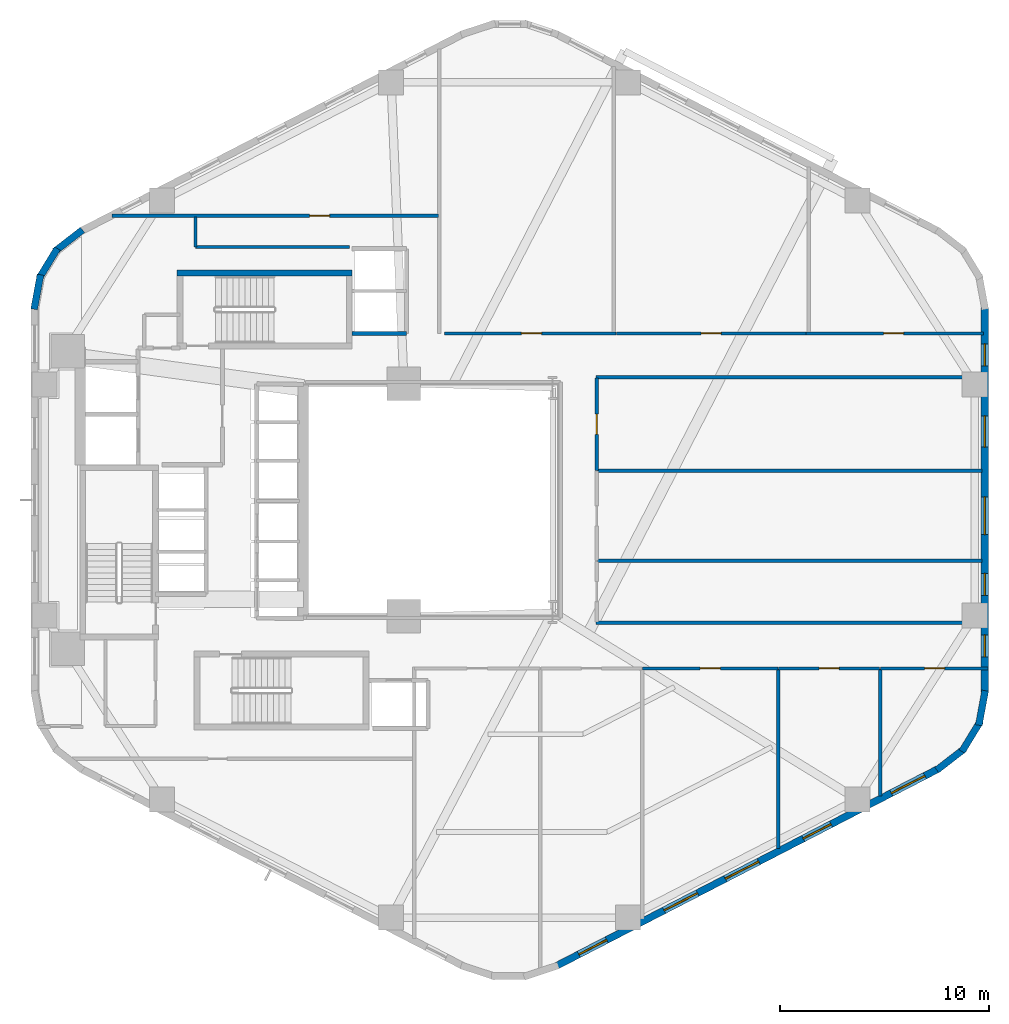
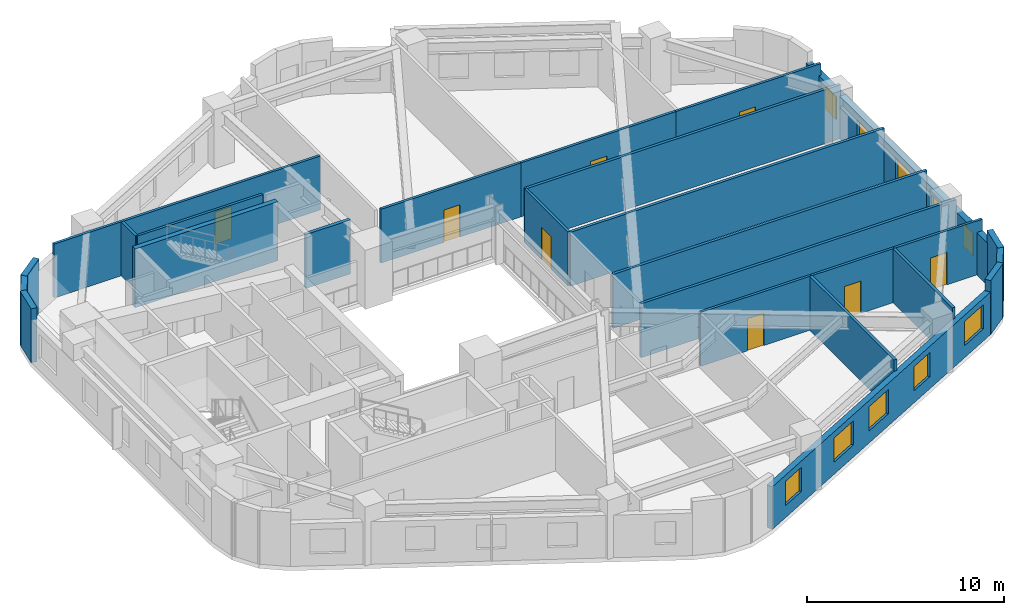
# One storey, part 4 of 6: 26 walls, 10 windows, 8 doors, 18 openings.
"""IFC4 building model written with IfcOpenShell, lengths in metres."""

from ifc_helpers import new_model, si_unit, direction, frame, frame_2d, origin, place, context, subcontext, project, spatial, rectangle, extrude, material, layer, layer_set, type_object, element, fill, save


model = new_model("IFC4")

# Units and contexts
model_context = context("Model", 3, precision=1e-05, world=origin(), true_north=direction((0.0, 1.0)))
body_context = subcontext(model_context, "Body", "Model", "MODEL_VIEW")
ifc_project = project(units=[si_unit("LENGTHUNIT", "METRE"), si_unit("AREAUNIT", "SQUARE_METRE"), si_unit("VOLUMEUNIT", "CUBIC_METRE"), si_unit("PLANEANGLEUNIT", "RADIAN"), si_unit("MASSUNIT", "GRAM", prefix="KILO"), si_unit("THERMODYNAMICTEMPERATUREUNIT", "KELVIN"), si_unit("POWERUNIT", "WATT")], contexts=[model_context])

# Site, building, storey
site_placement = place(None, origin())
site = spatial("IfcSite", under=ifc_project, at=site_placement, CompositionType="ELEMENT")
building_placement = place(site_placement, origin())
building = spatial("IfcBuilding", under=site, at=building_placement, Name="Skarre Station Tower", CompositionType="ELEMENT")
storey_placement = place(building_placement, frame((0.0, 0.0, 92.699951171875)))
storey = spatial("IfcBuildingStorey", under=building, at=storey_placement, Name="L24", CompositionType="ELEMENT", Elevation=92.699951171875)

# Wall, opening, door
ifc_material_1 = material(Name="Acoustic Steel-Stud Gypsum Partition", Category="steel")
ifc_layer_1 = layer(ifc_material_1, 0.14990234375, Name="Acoustic Steel-Stud Gypsum Partition")
ifc_layer_set_1 = layer_set([ifc_layer_1], Name="Acoustic Steel-Stud Gypsum Partition")
wall_type_1 = type_object("IfcWallType", Name="Fire-Rated Corridor Acoustic Partition 150", PredefinedType="PARTITIONING", material=ifc_layer_set_1)
wall_1_placement = place(storey_placement, frame((34.0, 37.580078125, 0.0), z_axis=(0.0, 0.0, 1.0), x_axis=(-1.0, 0.0, 0.0)))
wall_1 = element("IfcWall", 1, at=wall_1_placement, inside=storey, type_object=wall_type_1, Name="L24 Interior Partition WL-PT-L24-NWW1-CW", PredefinedType="PARTITIONING", context=body_context, shape_type="SweptSolid", body=[
    extrude(rectangle(XDim=15.60009765625, YDim=0.14990234375, at=frame_2d((7.800048828125, 0.0))), origin(), (0.0, 0.0, 1.0), 3.340087890625),
])
opening_1_placement = place(wall_1_placement, frame((5.195068359375, 0.0, 0.0)))
opening_1 = element("IfcOpeningElement", 2, at=opening_1_placement, cuts=wall_1, Name="Opening DR-FD60", PredefinedType="OPENING", context=body_context, shape_type="SweptSolid", body=[
    extrude(rectangle(XDim=0.9599609375, YDim=2.0, at=frame_2d((0.47998046875, 1.0))), frame((0.0, 0.0849609375, 0.0), z_axis=(0.0, -1.0, 0.0), x_axis=(1.0, 0.0, 0.0)), (0.0, 0.0, 1.0), 0.169921875),
])
ifc_material_2 = material(Name="Nordic White-Oak Veneer Solid-Core Fire Leaf", Category="wood")
door_type = type_object("IfcDoorType", Name="Corridor Suite Entry Fire Door FD60 960x2150", OperationType="SINGLE_SWING_LEFT", PredefinedType="DOOR", material=ifc_material_2)
door_1_placement = place(opening_1_placement, origin())
door_1 = element("IfcDoor", 3, at=door_1_placement, inside=storey, type_object=door_type, Name="L24 NWW1 Entry Door", OperationType="SINGLE_SWING_LEFT", OverallHeight=2.0, OverallWidth=0.9599609375, PredefinedType="DOOR", context=body_context, shape_type="SweptSolid", body=[
    extrude(rectangle(XDim=0.9599609375, YDim=2.0, at=frame_2d((0.47998046875, 1.0))), frame((0.0, 0.02490234375, 0.0), z_axis=(0.0, -1.0, 0.0), x_axis=(1.0, 0.0, 0.0)), (0.0, 0.0, 1.0), 0.050048828125),
])
fill(opening_1, door_1)

wall_2_placement = place(storey_placement, frame((42.48291015625, 31.9599609375, 0.0), z_axis=(0.0, 0.0, 1.0), x_axis=(-1.0, 0.0, 0.0)))
wall_2 = element("IfcWall", 4, at=wall_2_placement, inside=storey, type_object=wall_type_1, Name="L24 Interior Partition WL-PT-L24-NW1-CW", PredefinedType="PARTITIONING", context=body_context, shape_type="SweptSolid", body=[
    extrude(rectangle(XDim=8.19287109375, YDim=0.14990234375, at=frame_2d((4.096435546875, 0.0))), origin(), (0.0, 0.0, 1.0), 3.340087890625),
])
opening_2_placement = place(wall_2_placement, frame((3.56005859375, 0.0, 0.0)))
opening_2 = element("IfcOpeningElement", 5, at=opening_2_placement, cuts=wall_2, Name="Opening DR-FD60", PredefinedType="OPENING", context=body_context, shape_type="SweptSolid", body=[
    extrude(rectangle(XDim=0.9599609375, YDim=2.0, at=frame_2d((0.47998046875, 1.0))), frame((0.0, 0.0849609375, 0.0), z_axis=(0.0, -1.0, 0.0), x_axis=(1.0, 0.0, 0.0)), (0.0, 0.0, 1.0), 0.169921875),
])
door_2_placement = place(opening_2_placement, origin())
door_2 = element("IfcDoor", 6, at=door_2_placement, inside=storey, type_object=door_type, Name="L24 NW1 Entry Door", OperationType="SINGLE_SWING_LEFT", OverallHeight=2.0, OverallWidth=0.9599609375, PredefinedType="DOOR", context=body_context, shape_type="SweptSolid", body=[
    extrude(rectangle(XDim=0.9599609375, YDim=2.0, at=frame_2d((0.47998046875, 1.0))), frame((0.0, 0.02490234375, 0.0), z_axis=(0.0, -1.0, 0.0), x_axis=(1.0, 0.0, 0.0)), (0.0, 0.0, 1.0), 0.050048828125),
])
fill(opening_2, door_2)

wall_3_placement = place(storey_placement, frame((51.550048828125, 31.9599609375, 0.0), z_axis=(0.0, 0.0, 1.0), x_axis=(-1.0, 0.0, 0.0)))
wall_3 = element("IfcWall", 7, at=wall_3_placement, inside=storey, type_object=wall_type_1, Name="L24 Interior Partition WL-PT-L24-NW2-CW", PredefinedType="PARTITIONING", context=body_context, shape_type="SweptSolid", body=[
    extrude(rectangle(XDim=9.05712890625, YDim=0.14990234375, at=frame_2d((4.528564453125, 0.0))), origin(), (0.0, 0.0, 1.0), 3.340087890625),
])
opening_3_placement = place(wall_3_placement, frame((4.049072265625, 0.0, 0.0)))
opening_3 = element("IfcOpeningElement", 8, at=opening_3_placement, cuts=wall_3, Name="Opening DR-FD60", PredefinedType="OPENING", context=body_context, shape_type="SweptSolid", body=[
    extrude(rectangle(XDim=0.9599609375, YDim=2.0, at=frame_2d((0.47998046875, 1.0))), frame((0.0, 0.0849609375, 0.0), z_axis=(0.0, -1.0, 0.0), x_axis=(1.0, 0.0, 0.0)), (0.0, 0.0, 1.0), 0.169921875),
])
door_3_placement = place(opening_3_placement, origin())
door_3 = element("IfcDoor", 9, at=door_3_placement, inside=storey, type_object=door_type, Name="L24 NW2 Entry Door", OperationType="SINGLE_SWING_LEFT", OverallHeight=2.0, OverallWidth=0.9599609375, PredefinedType="DOOR", context=body_context, shape_type="SweptSolid", body=[
    extrude(rectangle(XDim=0.9599609375, YDim=2.0, at=frame_2d((0.47998046875, 1.0))), frame((0.0, 0.02490234375, 0.0), z_axis=(0.0, -1.0, 0.0), x_axis=(1.0, 0.0, 0.0)), (0.0, 0.0, 1.0), 0.050048828125),
])
fill(opening_3, door_3)

wall_4_placement = place(storey_placement, frame((60.031982421875, 31.9599609375, 0.0), z_axis=(0.0, 0.0, 1.0), x_axis=(-1.0, 0.0, 0.0)))
wall_4 = element("IfcWall", 10, at=wall_4_placement, inside=storey, type_object=wall_type_1, Name="L24 Interior Partition WL-PT-L24-NW3-CW", PredefinedType="PARTITIONING", context=body_context, shape_type="SweptSolid", body=[
    extrude(rectangle(XDim=8.471923828125, YDim=0.14990234375, at=frame_2d((4.23583984375, 0.0))), origin(), (0.0, 0.0, 1.0), 3.340087890625),
])
opening_4_placement = place(wall_4_placement, frame((3.81298828125, 0.0, 0.0)))
opening_4 = element("IfcOpeningElement", 11, at=opening_4_placement, cuts=wall_4, Name="Opening DR-FD60", PredefinedType="OPENING", context=body_context, shape_type="SweptSolid", body=[
    extrude(rectangle(XDim=0.9599609375, YDim=2.0, at=frame_2d((0.47998046875, 1.0))), frame((0.0, 0.0849609375, 0.0), z_axis=(0.0, -1.0, 0.0), x_axis=(1.0, 0.0, 0.0)), (0.0, 0.0, 1.0), 0.169921875),
])
door_4_placement = place(opening_4_placement, origin())
door_4 = element("IfcDoor", 12, at=door_4_placement, inside=storey, type_object=door_type, Name="L24 NW3 Entry Door", OperationType="SINGLE_SWING_LEFT", OverallHeight=2.0, OverallWidth=0.9599609375, PredefinedType="DOOR", context=body_context, shape_type="SweptSolid", body=[
    extrude(rectangle(XDim=0.9599609375, YDim=2.0, at=frame_2d((0.47998046875, 1.0))), frame((0.0, 0.02490234375, 0.0), z_axis=(0.0, -1.0, 0.0), x_axis=(1.0, 0.0, 0.0)), (0.0, 0.0, 1.0), 0.050048828125),
])
fill(opening_4, door_4)

wall_5_placement = place(storey_placement, frame((41.56005859375, 25.4150390625, 0.0), z_axis=(0.0, 0.0, 1.0), x_axis=(0.0, 1.0, 0.0)))
wall_5 = element("IfcWall", 13, at=wall_5_placement, inside=storey, type_object=wall_type_1, Name="L24 Interior Partition WL-PT-L24-EW3-CW", PredefinedType="PARTITIONING", context=body_context, shape_type="SweptSolid", body=[
    extrude(rectangle(XDim=4.405029296875, YDim=0.14990234375, at=frame_2d((2.20263671875, 0.0))), origin(), (0.0, 0.0, 1.0), 3.340087890625),
])
opening_5_placement = place(wall_5_placement, frame((1.722900390625, 0.0, 0.0)))
opening_5 = element("IfcOpeningElement", 14, at=opening_5_placement, cuts=wall_5, Name="Opening DR-FD60", PredefinedType="OPENING", context=body_context, shape_type="SweptSolid", body=[
    extrude(rectangle(XDim=0.9599609375, YDim=2.0, at=frame_2d((0.47998046875, 1.0))), frame((0.0, 0.0849609375, 0.0), z_axis=(0.0, -1.0, 0.0), x_axis=(1.0, 0.0, 0.0)), (0.0, 0.0, 1.0), 0.169921875),
])
door_5_placement = place(opening_5_placement, origin())
door_5 = element("IfcDoor", 15, at=door_5_placement, inside=storey, type_object=door_type, Name="L24 EW3 Entry Door", OperationType="SINGLE_SWING_LEFT", OverallHeight=2.0, OverallWidth=0.9599609375, PredefinedType="DOOR", context=body_context, shape_type="SweptSolid", body=[
    extrude(rectangle(XDim=0.9599609375, YDim=2.0, at=frame_2d((0.47998046875, 1.0))), frame((0.0, 0.02490234375, 0.0), z_axis=(0.0, -1.0, 0.0), x_axis=(1.0, 0.0, 0.0)), (0.0, 0.0, 1.0), 0.050048828125),
])
fill(opening_5, door_5)

wall_6_placement = place(storey_placement, frame((43.7548828125, 15.9599609375, 0.0), z_axis=(0.0, 0.0, 1.0), x_axis=(1.0, 0.0, 0.0)))
wall_6 = element("IfcWall", 16, at=wall_6_placement, inside=storey, type_object=wall_type_1, Name="L24 Interior Partition WL-PT-L24-SW3-CW", PredefinedType="PARTITIONING", context=body_context, shape_type="SweptSolid", body=[
    extrude(rectangle(XDim=6.455078125, YDim=0.14990234375, at=frame_2d((3.2275390625, 0.0))), origin(), (0.0, 0.0, 1.0), 3.340087890625),
])
opening_6_placement = place(wall_6_placement, frame((2.748046875, 0.0, 0.0)))
opening_6 = element("IfcOpeningElement", 17, at=opening_6_placement, cuts=wall_6, Name="Opening DR-FD60", PredefinedType="OPENING", context=body_context, shape_type="SweptSolid", body=[
    extrude(rectangle(XDim=0.9599609375, YDim=2.0, at=frame_2d((0.47998046875, 1.0))), frame((0.0, 0.0849609375, 0.0), z_axis=(0.0, -1.0, 0.0), x_axis=(1.0, 0.0, 0.0)), (0.0, 0.0, 1.0), 0.169921875),
])
door_6_placement = place(opening_6_placement, origin())
door_6 = element("IfcDoor", 18, at=door_6_placement, inside=storey, type_object=door_type, Name="L24 SW3 Entry Door", OperationType="SINGLE_SWING_LEFT", OverallHeight=2.0, OverallWidth=0.9599609375, PredefinedType="DOOR", context=body_context, shape_type="SweptSolid", body=[
    extrude(rectangle(XDim=0.9599609375, YDim=2.0, at=frame_2d((0.47998046875, 1.0))), frame((0.0, 0.02490234375, 0.0), z_axis=(0.0, -1.0, 0.0), x_axis=(1.0, 0.0, 0.0)), (0.0, 0.0, 1.0), 0.050048828125),
])
fill(opening_6, door_6)

wall_7_placement = place(storey_placement, frame((50.24609375, 15.9599609375, 0.0), z_axis=(0.0, 0.0, 1.0), x_axis=(1.0, 0.0, 0.0)))
wall_7 = element("IfcWall", 19, at=wall_7_placement, inside=storey, type_object=wall_type_1, Name="L24 Interior Partition WL-PT-L24-SW4-CW", PredefinedType="PARTITIONING", context=body_context, shape_type="SweptSolid", body=[
    extrude(rectangle(XDim=4.830810546875, YDim=0.14990234375, at=frame_2d((2.41552734375, 0.0))), origin(), (0.0, 0.0, 1.0), 3.340087890625),
])
opening_7_placement = place(wall_7_placement, frame((1.93603515625, 0.0, 0.0)))
opening_7 = element("IfcOpeningElement", 20, at=opening_7_placement, cuts=wall_7, Name="Opening DR-FD60", PredefinedType="OPENING", context=body_context, shape_type="SweptSolid", body=[
    extrude(rectangle(XDim=0.9599609375, YDim=2.0, at=frame_2d((0.47998046875, 1.0))), frame((0.0, 0.0849609375, 0.0), z_axis=(0.0, -1.0, 0.0), x_axis=(1.0, 0.0, 0.0)), (0.0, 0.0, 1.0), 0.169921875),
])
door_7_placement = place(opening_7_placement, origin())
door_7 = element("IfcDoor", 21, at=door_7_placement, inside=storey, type_object=door_type, Name="L24 SW4 Entry Door", OperationType="SINGLE_SWING_LEFT", OverallHeight=2.0, OverallWidth=0.9599609375, PredefinedType="DOOR", context=body_context, shape_type="SweptSolid", body=[
    extrude(rectangle(XDim=0.9599609375, YDim=2.0, at=frame_2d((0.47998046875, 1.0))), frame((0.0, 0.02490234375, 0.0), z_axis=(0.0, -1.0, 0.0), x_axis=(1.0, 0.0, 0.0)), (0.0, 0.0, 1.0), 0.050048828125),
])
fill(opening_7, door_7)

wall_8_placement = place(storey_placement, frame((55.113037109375, 15.9599609375, 0.0), z_axis=(0.0, 0.0, 1.0), x_axis=(1.0, 0.0, 0.0)))
wall_8 = element("IfcWall", 22, at=wall_8_placement, inside=storey, type_object=wall_type_1, Name="L24 Interior Partition WL-PT-L24-SW5-CW", PredefinedType="PARTITIONING", context=body_context, shape_type="SweptSolid", body=[
    extrude(rectangle(XDim=5.139892578125, YDim=0.14990234375, at=frame_2d((2.56982421875, 0.0))), origin(), (0.0, 0.0, 1.0), 3.340087890625),
])
opening_8_placement = place(wall_8_placement, frame((2.10400390625, 0.0, 0.0)))
opening_8 = element("IfcOpeningElement", 23, at=opening_8_placement, cuts=wall_8, Name="Opening DR-FD60", PredefinedType="OPENING", context=body_context, shape_type="SweptSolid", body=[
    extrude(rectangle(XDim=0.9599609375, YDim=2.0, at=frame_2d((0.47998046875, 1.0))), frame((0.0, 0.0849609375, 0.0), z_axis=(0.0, -1.0, 0.0), x_axis=(1.0, 0.0, 0.0)), (0.0, 0.0, 1.0), 0.169921875),
])
door_8_placement = place(opening_8_placement, origin())
door_8 = element("IfcDoor", 24, at=door_8_placement, inside=storey, type_object=door_type, Name="L24 SW5 Entry Door", OperationType="SINGLE_SWING_LEFT", OverallHeight=2.0, OverallWidth=0.9599609375, PredefinedType="DOOR", context=body_context, shape_type="SweptSolid", body=[
    extrude(rectangle(XDim=0.9599609375, YDim=2.0, at=frame_2d((0.47998046875, 1.0))), frame((0.0, 0.02490234375, 0.0), z_axis=(0.0, -1.0, 0.0), x_axis=(1.0, 0.0, 0.0)), (0.0, 0.0, 1.0), 0.050048828125),
])
fill(opening_8, door_8)

# Walls
wall_9_placement = place(storey_placement, frame((29.7529296875, 36.080078125, 0.0), z_axis=(0.0, 0.0, 1.0), x_axis=(-1.0, 0.0, 0.0)))
element("IfcWall", 25, at=wall_9_placement, inside=storey, type_object=wall_type_1, Name="L24 Interior Partition WL-PT-L24-CSEAL-1", PredefinedType="PARTITIONING", context=body_context, shape_type="SweptSolid", body=[
    extrude(rectangle(XDim=7.35302734375, YDim=0.14990234375, at=frame_2d((3.676513671875, 0.0))), origin(), (0.0, 0.0, 1.0), 3.340087890625),
])
wall_10_placement = place(storey_placement, frame((22.39990234375, 36.080078125, 0.0), z_axis=(0.0, 0.0, 1.0), x_axis=(0.0, 1.0, 0.0)))
element("IfcWall", 26, at=wall_10_placement, inside=storey, type_object=wall_type_1, Name="L24 Interior Partition WL-PT-L24-CSEAL-2", PredefinedType="PARTITIONING", context=body_context, shape_type="SweptSolid", body=[
    extrude(rectangle(XDim=1.429931640625, YDim=0.14990234375, at=frame_2d((0.71484375, 0.0))), origin(), (0.0, 0.0, 1.0), 3.340087890625),
])

# Wall, openings, windows
ifc_material_3 = material(Name="Precast concrete C45/55", Category="concrete")
ifc_layer_2 = layer(ifc_material_3, 0.340087890625, Name="Precast concrete C45/55")
ifc_layer_set_2 = layer_set([ifc_layer_2], Name="Precast concrete C45/55")
wall_type_2 = type_object("IfcWallType", Name="Nordic Honed Precast Facet Wall 340", PredefinedType="STANDARD", material=ifc_layer_set_2)
wall_11_placement = place(storey_placement, frame((57.8759765625, 11.158935546875, 0.0), z_axis=(0.0, 0.0, 1.0), x_axis=(-0.888634413993, -0.458616264721, 0.0)))
wall_11 = element("IfcWall", 27, at=wall_11_placement, inside=storey, type_object=wall_type_2, Name="L24 Facet 4 Nordic Precast Masonry Wall", PredefinedType="STANDARD", context=body_context, shape_type="SweptSolid", body=[
    extrude(rectangle(XDim=20.53125, YDim=0.340087890625, at=frame_2d((10.265625, 0.0))), origin(), (0.0, 0.0, 1.0), 2.634033203125),
])
opening_9_placement = place(wall_11_placement, frame((0.72705078125, 0.0, 0.75)))
opening_9 = element("IfcOpeningElement", 28, at=opening_9_placement, cuts=wall_11, Name="Opening WN-Z1A", PredefinedType="OPENING", context=body_context, shape_type="SweptSolid", body=[
    extrude(rectangle(XDim=1.800048828125, YDim=1.5, at=frame_2d((0.89990234375, 0.75))), frame((0.0, 0.179931640625, 0.0), z_axis=(0.0, -1.0, 0.0), x_axis=(1.0, 0.0, 0.0)), (0.0, 0.0, 1.0), 0.360107421875),
])
opening_10_placement = place(wall_11_placement, frame((5.763916015625, 0.0, 0.75)))
opening_10 = element("IfcOpeningElement", 29, at=opening_10_placement, cuts=wall_11, Name="Opening WN-Z1B", PredefinedType="OPENING", context=body_context, shape_type="SweptSolid", body=[
    extrude(rectangle(XDim=1.5, YDim=1.5, at=frame_2d((0.75, 0.75))), frame((0.0, 0.179931640625, 0.0), z_axis=(0.0, -1.0, 0.0), x_axis=(1.0, 0.0, 0.0)), (0.0, 0.0, 1.0), 0.360107421875),
])
opening_11_placement = place(wall_11_placement, frame((9.652099609375, 0.0, 0.75)))
opening_11 = element("IfcOpeningElement", 30, at=opening_11_placement, cuts=wall_11, Name="Opening WN-Z1A", PredefinedType="OPENING", context=body_context, shape_type="SweptSolid", body=[
    extrude(rectangle(XDim=1.800048828125, YDim=1.5, at=frame_2d((0.89990234375, 0.75))), frame((0.0, 0.179931640625, 0.0), z_axis=(0.0, -1.0, 0.0), x_axis=(1.0, 0.0, 0.0)), (0.0, 0.0, 1.0), 0.360107421875),
])
opening_12_placement = place(wall_11_placement, frame((12.94189453125, 0.0, 0.75)))
opening_12 = element("IfcOpeningElement", 31, at=opening_12_placement, cuts=wall_11, Name="Opening WN-Z1A", PredefinedType="OPENING", context=body_context, shape_type="SweptSolid", body=[
    extrude(rectangle(XDim=1.800048828125, YDim=1.5, at=frame_2d((0.89990234375, 0.75))), frame((0.0, 0.179931640625, 0.0), z_axis=(0.0, -1.0, 0.0), x_axis=(1.0, 0.0, 0.0)), (0.0, 0.0, 1.0), 0.360107421875),
])
opening_13_placement = place(wall_11_placement, frame((17.822998046875, 0.0, 0.75)))
opening_13 = element("IfcOpeningElement", 32, at=opening_13_placement, cuts=wall_11, Name="Opening WN-Z1B", PredefinedType="OPENING", context=body_context, shape_type="SweptSolid", body=[
    extrude(rectangle(XDim=1.5, YDim=1.5, at=frame_2d((0.75, 0.75))), frame((0.0, 0.179931640625, 0.0), z_axis=(0.0, -1.0, 0.0), x_axis=(1.0, 0.0, 0.0)), (0.0, 0.0, 1.0), 0.360107421875),
])
ifc_material_4 = material(Name="Low-Iron Triple Glazing with Bronze Anodized Frame", Category="glass")
window_type_1 = type_object("IfcWindowType", Name="Nordic Punched Triple-Glazed Window 1500x1500", PartitioningType="SINGLE_PANEL", PredefinedType="WINDOW", material=ifc_material_4)
window_1_placement = place(opening_10_placement, origin())
window_1 = element("IfcWindow", 33, at=window_1_placement, inside=storey, type_object=window_type_1, Name="L24 Facade Window WL-FAC-L24-F4-2", OverallHeight=1.5, OverallWidth=1.5, PartitioningType="SINGLE_PANEL", PredefinedType="WINDOW", context=body_context, shape_type="SweptSolid", body=[
    extrude(rectangle(XDim=1.5, YDim=1.5, at=frame_2d((0.75, 0.75))), frame((0.0, 0.030029296875, 0.0), z_axis=(0.0, -1.0, 0.0), x_axis=(1.0, 0.0, 0.0)), (0.0, 0.0, 1.0), 0.06005859375),
])
fill(opening_10, window_1)
window_2_placement = place(opening_13_placement, origin())
window_2 = element("IfcWindow", 34, at=window_2_placement, inside=storey, type_object=window_type_1, Name="L24 Facade Window WL-FAC-L24-F4-5", OverallHeight=1.5, OverallWidth=1.5, PartitioningType="SINGLE_PANEL", PredefinedType="WINDOW", context=body_context, shape_type="SweptSolid", body=[
    extrude(rectangle(XDim=1.5, YDim=1.5, at=frame_2d((0.75, 0.75))), frame((0.0, 0.030029296875, 0.0), z_axis=(0.0, -1.0, 0.0), x_axis=(1.0, 0.0, 0.0)), (0.0, 0.0, 1.0), 0.06005859375),
])
fill(opening_13, window_2)
window_type_2 = type_object("IfcWindowType", Name="Nordic Punched Triple-Glazed Window 1800x1500", PartitioningType="SINGLE_PANEL", PredefinedType="WINDOW", material=ifc_material_4)
window_3_placement = place(opening_9_placement, origin())
window_3 = element("IfcWindow", 35, at=window_3_placement, inside=storey, type_object=window_type_2, Name="L24 Facade Window WL-FAC-L24-F4-1", OverallHeight=1.5, OverallWidth=1.800048828125, PartitioningType="SINGLE_PANEL", PredefinedType="WINDOW", context=body_context, shape_type="SweptSolid", body=[
    extrude(rectangle(XDim=1.800048828125, YDim=1.5, at=frame_2d((0.89990234375, 0.75))), frame((0.0, 0.030029296875, 0.0), z_axis=(0.0, -1.0, 0.0), x_axis=(1.0, 0.0, 0.0)), (0.0, 0.0, 1.0), 0.06005859375),
])
fill(opening_9, window_3)
window_4_placement = place(opening_11_placement, origin())
window_4 = element("IfcWindow", 36, at=window_4_placement, inside=storey, type_object=window_type_2, Name="L24 Facade Window WL-FAC-L24-F4-3", OverallHeight=1.5, OverallWidth=1.800048828125, PartitioningType="SINGLE_PANEL", PredefinedType="WINDOW", context=body_context, shape_type="SweptSolid", body=[
    extrude(rectangle(XDim=1.800048828125, YDim=1.5, at=frame_2d((0.89990234375, 0.75))), frame((0.0, 0.030029296875, 0.0), z_axis=(0.0, -1.0, 0.0), x_axis=(1.0, 0.0, 0.0)), (0.0, 0.0, 1.0), 0.06005859375),
])
fill(opening_11, window_4)
window_5_placement = place(opening_12_placement, origin())
window_5 = element("IfcWindow", 37, at=window_5_placement, inside=storey, type_object=window_type_2, Name="L24 Facade Window WL-FAC-L24-F4-4", OverallHeight=1.5, OverallWidth=1.800048828125, PartitioningType="SINGLE_PANEL", PredefinedType="WINDOW", context=body_context, shape_type="SweptSolid", body=[
    extrude(rectangle(XDim=1.800048828125, YDim=1.5, at=frame_2d((0.89990234375, 0.75))), frame((0.0, 0.030029296875, 0.0), z_axis=(0.0, -1.0, 0.0), x_axis=(1.0, 0.0, 0.0)), (0.0, 0.0, 1.0), 0.06005859375),
])
fill(opening_12, window_5)

wall_12_placement = place(storey_placement, frame((60.093017578125, 33.201904296875, 0.0), z_axis=(0.0, 0.0, 1.0), x_axis=(0.0, -1.0, 0.0)))
wall_12 = element("IfcWall", 38, at=wall_12_placement, inside=storey, type_object=wall_type_2, Name="L24 Facet 5 Nordic Precast Masonry Wall", PredefinedType="STANDARD", context=body_context, shape_type="SweptSolid", body=[
    extrude(rectangle(XDim=18.40380859375, YDim=0.340087890625, at=frame_2d((9.201904296875, 0.0))), origin(), (0.0, 0.0, 1.0), 2.634033203125),
])
opening_14_placement = place(wall_12_placement, frame((1.743896484375, 0.0, 0.75)))
opening_14 = element("IfcOpeningElement", 39, at=opening_14_placement, cuts=wall_12, Name="Opening WN-SLT", PredefinedType="OPENING", context=body_context, shape_type="SweptSolid", body=[
    extrude(rectangle(XDim=1.050048828125, YDim=1.39990234375, at=frame_2d((0.52490234375, 0.699951171875))), frame((0.0, 0.179931640625, 0.0), z_axis=(0.0, -1.0, 0.0), x_axis=(1.0, 0.0, 0.0)), (0.0, 0.0, 1.0), 0.360107421875),
])
opening_15_placement = place(wall_12_placement, frame((5.181884765625, 0.0, 0.75)))
opening_15 = element("IfcOpeningElement", 40, at=opening_15_placement, cuts=wall_12, Name="Opening WN-Z1B", PredefinedType="OPENING", context=body_context, shape_type="SweptSolid", body=[
    extrude(rectangle(XDim=1.5, YDim=1.5, at=frame_2d((0.75, 0.75))), frame((0.0, 0.179931640625, 0.0), z_axis=(0.0, -1.0, 0.0), x_axis=(1.0, 0.0, 0.0)), (0.0, 0.0, 1.0), 0.360107421875),
])
opening_16_placement = place(wall_12_placement, frame((9.05810546875, 0.0, 0.75)))
opening_16 = element("IfcOpeningElement", 41, at=opening_16_placement, cuts=wall_12, Name="Opening WN-Z1A", PredefinedType="OPENING", context=body_context, shape_type="SweptSolid", body=[
    extrude(rectangle(XDim=1.800048828125, YDim=1.5, at=frame_2d((0.89990234375, 0.75))), frame((0.0, 0.179931640625, 0.0), z_axis=(0.0, -1.0, 0.0), x_axis=(1.0, 0.0, 0.0)), (0.0, 0.0, 1.0), 0.360107421875),
])
opening_17_placement = place(wall_12_placement, frame((12.7041015625, 0.0, 0.75)))
opening_17 = element("IfcOpeningElement", 42, at=opening_17_placement, cuts=wall_12, Name="Opening WN-SLT", PredefinedType="OPENING", context=body_context, shape_type="SweptSolid", body=[
    extrude(rectangle(XDim=1.050048828125, YDim=1.39990234375, at=frame_2d((0.52490234375, 0.699951171875))), frame((0.0, 0.179931640625, 0.0), z_axis=(0.0, -1.0, 0.0), x_axis=(1.0, 0.0, 0.0)), (0.0, 0.0, 1.0), 0.360107421875),
])
opening_18_placement = place(wall_12_placement, frame((15.64990234375, 0.0, 0.75)))
opening_18 = element("IfcOpeningElement", 43, at=opening_18_placement, cuts=wall_12, Name="Opening WN-SLT", PredefinedType="OPENING", context=body_context, shape_type="SweptSolid", body=[
    extrude(rectangle(XDim=1.050048828125, YDim=1.39990234375, at=frame_2d((0.52490234375, 0.699951171875))), frame((0.0, 0.179931640625, 0.0), z_axis=(0.0, -1.0, 0.0), x_axis=(1.0, 0.0, 0.0)), (0.0, 0.0, 1.0), 0.360107421875),
])
window_type_3 = type_object("IfcWindowType", Name="Nordic Corner Slot Window 1050x1400", PartitioningType="SINGLE_PANEL", PredefinedType="WINDOW", material=ifc_material_4)
window_6_placement = place(opening_14_placement, origin())
window_6 = element("IfcWindow", 44, at=window_6_placement, inside=storey, type_object=window_type_3, Name="L24 Facade Window WL-FAC-L24-F5-1", OverallHeight=1.39990234375, OverallWidth=1.050048828125, PartitioningType="SINGLE_PANEL", PredefinedType="WINDOW", context=body_context, shape_type="SweptSolid", body=[
    extrude(rectangle(XDim=1.050048828125, YDim=1.39990234375, at=frame_2d((0.52490234375, 0.699951171875))), frame((0.0, 0.030029296875, 0.0), z_axis=(0.0, -1.0, 0.0), x_axis=(1.0, 0.0, 0.0)), (0.0, 0.0, 1.0), 0.06005859375),
])
fill(opening_14, window_6)
window_7_placement = place(opening_17_placement, origin())
window_7 = element("IfcWindow", 45, at=window_7_placement, inside=storey, type_object=window_type_3, Name="L24 Facade Window WL-FAC-L24-F5-4", OverallHeight=1.39990234375, OverallWidth=1.050048828125, PartitioningType="SINGLE_PANEL", PredefinedType="WINDOW", context=body_context, shape_type="SweptSolid", body=[
    extrude(rectangle(XDim=1.050048828125, YDim=1.39990234375, at=frame_2d((0.52490234375, 0.699951171875))), frame((0.0, 0.030029296875, 0.0), z_axis=(0.0, -1.0, 0.0), x_axis=(1.0, 0.0, 0.0)), (0.0, 0.0, 1.0), 0.06005859375),
])
fill(opening_17, window_7)
window_8_placement = place(opening_18_placement, origin())
window_8 = element("IfcWindow", 46, at=window_8_placement, inside=storey, type_object=window_type_3, Name="L24 Facade Window WL-FAC-L24-F5-5", OverallHeight=1.39990234375, OverallWidth=1.050048828125, PartitioningType="SINGLE_PANEL", PredefinedType="WINDOW", context=body_context, shape_type="SweptSolid", body=[
    extrude(rectangle(XDim=1.050048828125, YDim=1.39990234375, at=frame_2d((0.52490234375, 0.699951171875))), frame((0.0, 0.030029296875, 0.0), z_axis=(0.0, -1.0, 0.0), x_axis=(1.0, 0.0, 0.0)), (0.0, 0.0, 1.0), 0.06005859375),
])
fill(opening_18, window_8)
window_9_placement = place(opening_15_placement, origin())
window_9 = element("IfcWindow", 47, at=window_9_placement, inside=storey, type_object=window_type_1, Name="L24 Facade Window WL-FAC-L24-F5-2", OverallHeight=1.5, OverallWidth=1.5, PartitioningType="SINGLE_PANEL", PredefinedType="WINDOW", context=body_context, shape_type="SweptSolid", body=[
    extrude(rectangle(XDim=1.5, YDim=1.5, at=frame_2d((0.75, 0.75))), frame((0.0, 0.030029296875, 0.0), z_axis=(0.0, -1.0, 0.0), x_axis=(1.0, 0.0, 0.0)), (0.0, 0.0, 1.0), 0.06005859375),
])
fill(opening_15, window_9)
window_10_placement = place(opening_16_placement, origin())
window_10 = element("IfcWindow", 48, at=window_10_placement, inside=storey, type_object=window_type_2, Name="L24 Facade Window WL-FAC-L24-F5-3", OverallHeight=1.5, OverallWidth=1.800048828125, PartitioningType="SINGLE_PANEL", PredefinedType="WINDOW", context=body_context, shape_type="SweptSolid", body=[
    extrude(rectangle(XDim=1.800048828125, YDim=1.5, at=frame_2d((0.89990234375, 0.75))), frame((0.0, 0.030029296875, 0.0), z_axis=(0.0, -1.0, 0.0), x_axis=(1.0, 0.0, 0.0)), (0.0, 0.0, 1.0), 0.06005859375),
])
fill(opening_16, window_10)

# Walls
ifc_layer_3 = layer(ifc_material_3, 0.330078125, Name="Precast concrete C45/55")
ifc_layer_set_3 = layer_set([ifc_layer_3], Name="Precast concrete C45/55")
wall_type_3 = type_object("IfcWallType", Name="Nordic Rounded Corner Precast Wall 330", PredefinedType="STANDARD", material=ifc_layer_set_3)
wall_13_placement = place(storey_placement, frame((14.68701171875, 33.10791015625, 0.0), z_axis=(0.0, 0.0, 1.0), x_axis=(0.181714143354, 0.983351397063, 0.0)))
element("IfcWall", 49, at=wall_13_placement, inside=storey, type_object=wall_type_3, Name="L24 Rounded Corner Precast Wall F2-1", PredefinedType="STANDARD", context=body_context, shape_type="SweptSolid", body=[
    extrude(rectangle(XDim=1.677978515625, YDim=0.330078125, at=frame_2d((0.8388671875, 0.0))), origin(), (0.0, 0.0, 1.0), 3.340087890625),
])
wall_14_placement = place(storey_placement, frame((14.925048828125, 34.5830078125, 0.0), z_axis=(0.0, 0.0, 1.0), x_axis=(0.520584129191, 0.853810379671, 0.0)))
element("IfcWall", 50, at=wall_14_placement, inside=storey, type_object=wall_type_3, Name="L24 Rounded Corner Precast Wall F2-2", PredefinedType="STANDARD", context=body_context, shape_type="SweptSolid", body=[
    extrude(rectangle(XDim=1.677001953125, YDim=0.330078125, at=frame_2d((0.83837890625, 0.0))), origin(), (0.0, 0.0, 1.0), 3.340087890625),
])
wall_15_placement = place(storey_placement, frame((15.673095703125, 35.875, 0.0), z_axis=(0.0, 0.0, 1.0), x_axis=(0.790691856293, 0.61221433207, 0.0)))
element("IfcWall", 51, at=wall_15_placement, inside=storey, type_object=wall_type_3, Name="L24 Rounded Corner Precast Wall F2-3", PredefinedType="STANDARD", context=body_context, shape_type="SweptSolid", body=[
    extrude(rectangle(XDim=1.67578125, YDim=0.330078125, at=frame_2d((0.837890625, 0.0))), origin(), (0.0, 0.0, 1.0), 3.340087890625),
])
wall_16_placement = place(storey_placement, frame((60.113037109375, 14.89208984375, 0.0), z_axis=(0.0, 0.0, 1.0), x_axis=(-0.181714143354, -0.983351397063, 0.0)))
element("IfcWall", 52, at=wall_16_placement, inside=storey, type_object=wall_type_3, Name="L24 Rounded Corner Precast Wall F5-1", PredefinedType="STANDARD", context=body_context, shape_type="SweptSolid", body=[
    extrude(rectangle(XDim=1.677978515625, YDim=0.330078125, at=frame_2d((0.8388671875, 0.0))), origin(), (0.0, 0.0, 1.0), 3.340087890625),
])
wall_17_placement = place(storey_placement, frame((59.875, 13.4169921875, 0.0), z_axis=(0.0, 0.0, 1.0), x_axis=(-0.520584129191, -0.853810379671, 0.0)))
element("IfcWall", 53, at=wall_17_placement, inside=storey, type_object=wall_type_3, Name="L24 Rounded Corner Precast Wall F5-2", PredefinedType="STANDARD", context=body_context, shape_type="SweptSolid", body=[
    extrude(rectangle(XDim=1.677001953125, YDim=0.330078125, at=frame_2d((0.83837890625, 0.0))), origin(), (0.0, 0.0, 1.0), 3.340087890625),
])
wall_18_placement = place(storey_placement, frame((59.126953125, 12.125, 0.0), z_axis=(0.0, 0.0, 1.0), x_axis=(-0.790691856293, -0.61221433207, 0.0)))
element("IfcWall", 54, at=wall_18_placement, inside=storey, type_object=wall_type_3, Name="L24 Rounded Corner Precast Wall F5-3", PredefinedType="STANDARD", context=body_context, shape_type="SweptSolid", body=[
    extrude(rectangle(XDim=1.67578125, YDim=0.330078125, at=frame_2d((0.837890625, 0.0))), origin(), (0.0, 0.0, 1.0), 3.340087890625),
])
ifc_material_5 = material(Name="Concrete C50/60", Category="concrete")
ifc_layer_4 = layer(ifc_material_5, 0.280029296875, Name="Concrete C50/60")
ifc_layer_set_4 = layer_set([ifc_layer_4], Name="Concrete C50/60")
wall_type_4 = type_object("IfcWallType", Name="RC Core Shear Wall 280", PredefinedType="SHEAR", material=ifc_layer_set_4)
wall_19_placement = place(storey_placement, frame((29.8798828125, 34.840087890625, 0.0), z_axis=(0.0, 0.0, 1.0), x_axis=(-1.0, 0.0, 0.0)))
element("IfcWall", 55, at=wall_19_placement, inside=storey, type_object=wall_type_4, Name="L24 Stair ST-3 North Shear Wall", PredefinedType="SHEAR", context=body_context, shape_type="SweptSolid", body=[
    extrude(rectangle(XDim=8.35986328125, YDim=0.280029296875, at=frame_2d((4.179931640625, 0.0))), origin(), (0.0, 0.0, 1.0), 3.650146484375),
])
ifc_material_6 = material(Name="Gypsum Concrete Shaft Assembly C30/37", Category="concrete")
ifc_layer_5 = layer(ifc_material_6, 0.199951171875, Name="Gypsum Concrete Shaft Assembly C30/37")
ifc_layer_set_5 = layer_set([ifc_layer_5], Name="Gypsum Concrete Shaft Assembly C30/37")
wall_type_5 = type_object("IfcWallType", Name="Shaft & Core Fire Partition 200", PredefinedType="PARTITIONING", material=ifc_layer_set_5)
wall_20_placement = place(storey_placement, frame((32.47998046875, 31.949951171875, 0.0), z_axis=(0.0, 0.0, 1.0), x_axis=(-1.0, 0.0, 0.0)))
element("IfcWall", 56, at=wall_20_placement, inside=storey, type_object=wall_type_5, Name="L24 Interior Partition WL-PT-L24-EX-S", PredefinedType="PARTITIONING", context=body_context, shape_type="SweptSolid", body=[
    extrude(rectangle(XDim=2.60009765625, YDim=0.199951171875, at=frame_2d((1.300048828125, 0.0))), origin(), (0.0, 0.0, 1.0), 3.340087890625),
])
ifc_layer_6 = layer(ifc_material_1, 0.1650390625, Name="Acoustic Steel-Stud Gypsum Partition")
ifc_layer_set_6 = layer_set([ifc_layer_6], Name="Acoustic Steel-Stud Gypsum Partition")
wall_type_6 = type_object("IfcWallType", Name="Suite Demising Acoustic Partition 165", PredefinedType="PARTITIONING", material=ifc_layer_set_6)
for number, where, z_axis, x_axis, name in (
    (57, (41.52001953125, 18.139892578125, 0.0), (0.0, 0.0, 1.0), (1.0, 0.0, 0.0), "L24 Interior Partition WL-PT-L24-EWB-S"),
    (58, (41.52001953125, 29.860107421875, 0.0), (0.0, 0.0, 1.0), (1.0, 0.0, 0.0), "L24 Interior Partition WL-PT-L24-EWB-N"),
):
    element("IfcWall", number, at=place(storey_placement, frame(where, z_axis=z_axis, x_axis=x_axis)), inside=storey, type_object=wall_type_6, Name=name, PredefinedType="PARTITIONING", context=body_context, shape_type="SweptSolid", body=[
        extrude(rectangle(XDim=18.452880859375, YDim=0.1650390625, at=frame_2d((9.2265625, 0.0))), origin(), (0.0, 0.0, 1.0), 3.340087890625),
    ])
for number, where, z_axis, x_axis, name in (
    (59, (41.590087890625, 21.090087890625, 0.0), (0.0, 0.0, 1.0), (1.0, 0.0, 0.0), "L24 Interior Partition WL-PT-L24-EW-P1"),
    (60, (41.590087890625, 25.39697265625, 0.0), (0.0, 0.0, 1.0), (1.0, 0.0, 0.0), "L24 Interior Partition WL-PT-L24-EW-P2"),
):
    element("IfcWall", number, at=place(storey_placement, frame(where, z_axis=z_axis, x_axis=x_axis)), inside=storey, type_object=wall_type_6, Name=name, PredefinedType="PARTITIONING", context=body_context, shape_type="SweptSolid", body=[
        extrude(rectangle(XDim=18.3828125, YDim=0.1650390625, at=frame_2d((9.19140625, 0.0))), origin(), (0.0, 0.0, 1.0), 3.340087890625),
    ])
wall_21_placement = place(storey_placement, frame((50.22802734375, 7.346923828125, 0.0), z_axis=(0.0, 0.0, 1.0), x_axis=(0.0, 1.0, 0.0)))
element("IfcWall", 61, at=wall_21_placement, inside=storey, type_object=wall_type_6, Name="L24 Interior Partition WL-PT-L24-SW-P3", PredefinedType="PARTITIONING", context=body_context, shape_type="SweptSolid", body=[
    extrude(rectangle(XDim=8.5830078125, YDim=0.1650390625, at=frame_2d((4.29150390625, 0.0))), origin(), (0.0, 0.0, 1.0), 3.340087890625),
])
wall_22_placement = place(storey_placement, frame((55.094970703125, 9.85888671875, 0.0), z_axis=(0.0, 0.0, 1.0), x_axis=(0.0, 1.0, 0.0)))
element("IfcWall", 62, at=wall_22_placement, inside=storey, type_object=wall_type_6, Name="L24 Interior Partition WL-PT-L24-SW-P4", PredefinedType="PARTITIONING", context=body_context, shape_type="SweptSolid", body=[
    extrude(rectangle(XDim=6.071044921875, YDim=0.1650390625, at=frame_2d((3.03564453125, 0.0))), origin(), (0.0, 0.0, 1.0), 3.340087890625),
])

save(model, "model.ifc")
